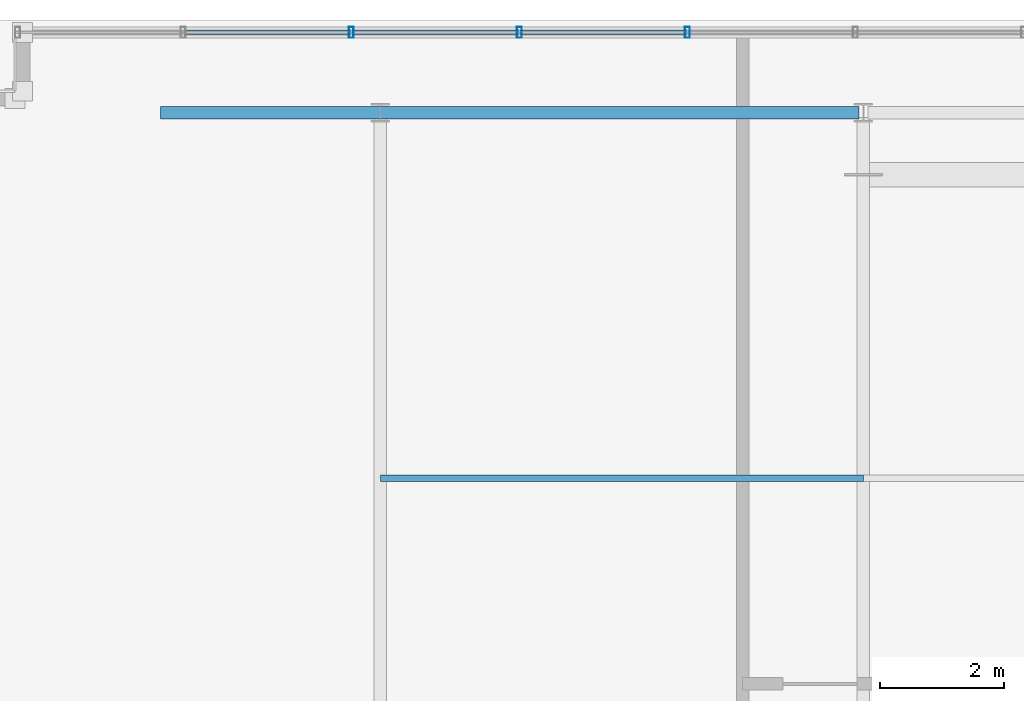
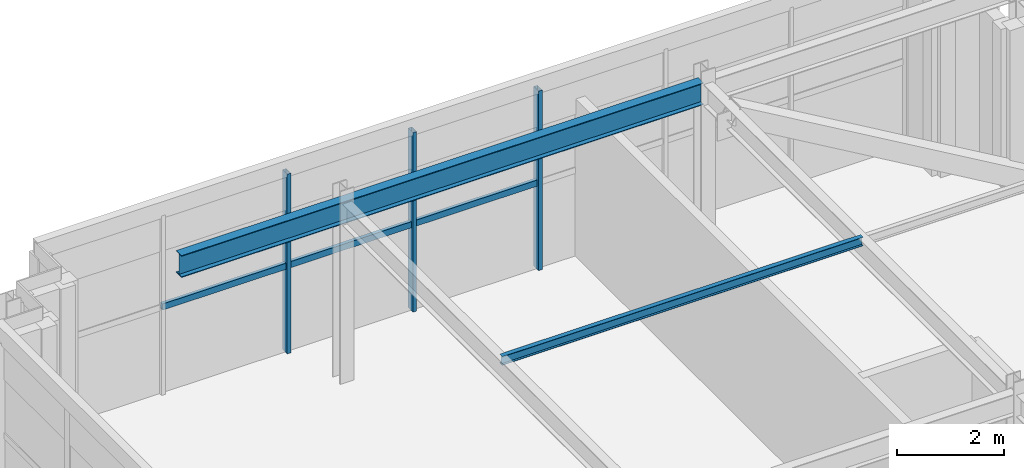
# One storey, part 21 of 31: 7 members, 1 beam, 1 element without a shape of its own.
"""IFC4 building model written with IfcOpenShell, lengths in metres."""

from ifc_helpers import new_model, si_unit, direction, frame, origin, origin_2d, place, context, subcontext, project, spatial, hollow_rectangle, i_section, extrude, source, transform, mapped, material, material_profile, profile_set, type_object, element, aggregate, save


model = new_model("IFC4")

# Units and contexts
model_context = context("Model", 3, precision=1e-05, world=origin(), true_north=direction((0.0, 1.0)))
body_context = subcontext(model_context, "Body", "Model", "MODEL_VIEW")
ifc_project = project(units=[si_unit("LENGTHUNIT", "METRE"), si_unit("AREAUNIT", "SQUARE_METRE"), si_unit("VOLUMEUNIT", "CUBIC_METRE"), si_unit("PLANEANGLEUNIT", "RADIAN"), si_unit("MASSUNIT", "GRAM", prefix="KILO")], contexts=[model_context])

# Site, building, storey
site_placement = place(None, origin())
site = spatial("IfcSite", under=ifc_project, at=site_placement, CompositionType="ELEMENT")
building_placement = place(site_placement, origin())
building = spatial("IfcBuilding", under=site, at=building_placement, Name="Trelvane Seafront Commons", CompositionType="ELEMENT")
storey_placement = place(building_placement, frame((0.0, 0.0, 307.89990234375)))
storey = spatial("IfcBuildingStorey", under=building, at=storey_placement, Name="L80", CompositionType="ELEMENT", Elevation=307.89990234375)

# Beam
ifc_material_1 = material(Name="Steel SM355 (S355)", Category="steel")
ifc_material_profile_1 = material_profile(ifc_material_1, i_section(OverallWidth=0.199951171875, OverallDepth=0.5, WebThickness=0.010009765625, FlangeThickness=0.01611328125, at=origin_2d()), Name="H-500x200x10x16")
ifc_profile_set_1 = profile_set([ifc_material_profile_1], Name="Steel SM355 (S355)")
beam_type = type_object("IfcBeamType", Name="STR-CROWN-FRAME-RING", PredefinedType="SPANDREL", material=ifc_profile_set_1)
shared_shape_1 = source(origin(), body_context, "Body", "SweptSolid", [
    extrude(i_section(OverallWidth=0.199951171875, OverallDepth=0.5, WebThickness=0.010009765625, FlangeThickness=0.01611328125, at=origin_2d()), origin(), (0.0, 0.0, 1.0), 11.275146484375),
])
beam_placement = place(storey_placement, frame((47.449951171875, 45.10009765625, 3.85009765625), z_axis=(1.0, 0.0, 0.0), x_axis=(0.0, 1.0, 0.0)))
element("IfcBeam", 1, at=beam_placement, inside=storey, type_object=beam_type, Name="L80 CROWN FRAME Ring Beam G-20", PredefinedType="SPANDREL", context=body_context, shape_type="MappedRepresentation", body=[
    mapped(shared_shape_1, transform((0.0, 0.0, 0.0), x_axis=(1.0, 0.0, 0.0), y_axis=(0.0, 1.0, 0.0), z_axis=(0.0, 0.0, 1.0), scale=1.0)),
])

# Member
ifc_material_profile_2 = material_profile(ifc_material_1, i_section(OverallWidth=0.10009765625, OverallDepth=0.199951171875, WebThickness=0.005615234375, FlangeThickness=0.008056640625, at=origin_2d()), Name="H-200x100x5.5x8")
ifc_profile_set_2 = profile_set([ifc_material_profile_2], Name="Steel SM355 (S355)")
member_type_1 = type_object("IfcMemberType", Name="STR-PUR-H200", PredefinedType="PURLIN", material=ifc_profile_set_2)
shared_shape_2 = source(origin(), body_context, "Body", "SweptSolid", [
    extrude(i_section(OverallWidth=0.10009765625, OverallDepth=0.199951171875, WebThickness=0.005615234375, FlangeThickness=0.008056640625, at=origin_2d()), origin(), (0.0, 0.0, 1.0), 7.800048828125),
])
member_1_placement = place(storey_placement, frame((51.0, 39.199951171875, 4.0), z_axis=(1.0, 0.0, 0.0), x_axis=(0.0, 1.0, 0.0)))
element("IfcMember", 2, at=member_1_placement, inside=storey, type_object=member_type_1, Name="L80 Crown Roof Purlin PR-2", PredefinedType="PURLIN", context=body_context, shape_type="MappedRepresentation", body=[
    mapped(shared_shape_2, transform((0.0, 0.0, 0.0), x_axis=(1.0, 0.0, 0.0), y_axis=(0.0, 1.0, 0.0), z_axis=(0.0, 0.0, 1.0), scale=1.0)),
])

# Curtain wall, members
ifc_material_2 = material(Name="Anodised pale-silver aluminium", Category="aluminium")
curtain_wall_type = type_object("IfcCurtainWallType", Name="ARCH-CW6-CROWN", PredefinedType="NOTDEFINED", material=ifc_material_2)
curtain_wall_placement = place(storey_placement, origin())
curtain_wall = element("IfcCurtainWall", 3, at=curtain_wall_placement, inside=storey, type_object=curtain_wall_type, Name="CW-L80-0141", PredefinedType="NOTDEFINED")
ifc_material_profile_3 = material_profile(ifc_material_2, hollow_rectangle(XDim=0.080078125, YDim=0.179931640625, WallThickness=0.00439453125, at=origin_2d()), Name="MULL-80x180x4.5")
ifc_profile_set_3 = profile_set([ifc_material_profile_3], Name="Anodised pale-silver aluminium")
member_type_2 = type_object("IfcMemberType", Name="ARCH-CW-MULL-180", PredefinedType="MULLION", material=ifc_profile_set_3)
shared_shape_3 = source(origin(), body_context, "Body", "SweptSolid", [
    extrude(hollow_rectangle(XDim=0.080078125, YDim=0.179931640625, WallThickness=0.00439453125, at=origin_2d()), origin(), (0.0, 0.0, 1.0), 4.10009765625),
])
member_2_placement = place(storey_placement, frame((50.528564453125, 46.39990234375, 0.0), z_axis=(0.0, 0.0, 1.0), x_axis=(1.0, 0.0, 0.0)))
member_2 = element("IfcMember", 4, at=member_2_placement, type_object=member_type_2, Name="CW-L80-0141-M02", PredefinedType="MULLION", context=body_context, shape_type="MappedRepresentation", body=[
    mapped(shared_shape_3, transform((0.0, 0.0, 0.0), x_axis=(1.0, 0.0, 0.0), y_axis=(0.0, 1.0, 0.0), z_axis=(0.0, 0.0, 1.0), scale=1.0)),
])
member_3_placement = place(storey_placement, frame((53.242919921875, 46.39990234375, 0.0), z_axis=(0.0, 0.0, 1.0), x_axis=(1.0, 0.0, 0.0)))
member_3 = element("IfcMember", 5, at=member_3_placement, type_object=member_type_2, Name="CW-L80-0141-M03", PredefinedType="MULLION", context=body_context, shape_type="MappedRepresentation", body=[
    mapped(shared_shape_3, transform((0.0, 0.0, 0.0), x_axis=(1.0, 0.0, 0.0), y_axis=(0.0, 1.0, 0.0), z_axis=(0.0, 0.0, 1.0), scale=1.0)),
])
member_4_placement = place(storey_placement, frame((55.95703125, 46.39990234375, 0.0), z_axis=(0.0, 0.0, 1.0), x_axis=(1.0, 0.0, 0.0)))
member_4 = element("IfcMember", 6, at=member_4_placement, type_object=member_type_2, Name="CW-L80-0141-M04", PredefinedType="MULLION", context=body_context, shape_type="MappedRepresentation", body=[
    mapped(shared_shape_3, transform((0.0, 0.0, 0.0), x_axis=(1.0, 0.0, 0.0), y_axis=(0.0, 1.0, 0.0), z_axis=(0.0, 0.0, 1.0), scale=1.0)),
])
ifc_material_profile_4 = material_profile(ifc_material_2, hollow_rectangle(XDim=0.074951171875, YDim=0.139892578125, WallThickness=0.00390625, at=origin_2d()), Name="TRAN-75x140x4")
ifc_profile_set_4 = profile_set([ifc_material_profile_4], Name="Anodised pale-silver aluminium")
member_type_3 = type_object("IfcMemberType", Name="ARCH-CW-TRAN-140", PredefinedType="USERDEFINED", material=ifc_profile_set_4)
shared_shape_4 = source(origin(), body_context, "Body", "SweptSolid", [
    extrude(hollow_rectangle(XDim=0.074951171875, YDim=0.139892578125, WallThickness=0.00390625, at=origin_2d()), origin(), (0.0, 0.0, 1.0), 2.690185546875),
])
member_5_placement = place(storey_placement, frame((47.826416015625, 46.39990234375, 1.968017578125), z_axis=(1.0, 0.0, 0.0), x_axis=(0.0, 1.0, 0.0)))
member_5 = element("IfcMember", 7, at=member_5_placement, type_object=member_type_3, Name="CW-L80-0141-T01", ObjectType="TRANSOM", PredefinedType="USERDEFINED", context=body_context, shape_type="MappedRepresentation", body=[
    mapped(shared_shape_4, transform((0.0, 0.0, 0.0), x_axis=(1.0, 0.0, 0.0), y_axis=(0.0, 1.0, 0.0), z_axis=(0.0, 0.0, 1.0), scale=1.0)),
])
member_6_placement = place(storey_placement, frame((53.2548828125, 46.39990234375, 1.968017578125), z_axis=(1.0, 0.0, 0.0), x_axis=(0.0, 1.0, 0.0)))
member_6 = element("IfcMember", 8, at=member_6_placement, type_object=member_type_3, Name="CW-L80-0141-T03", ObjectType="TRANSOM", PredefinedType="USERDEFINED", context=body_context, shape_type="MappedRepresentation", body=[
    mapped(shared_shape_4, transform((0.0, 0.0, 0.0), x_axis=(1.0, 0.0, 0.0), y_axis=(0.0, 1.0, 0.0), z_axis=(0.0, 0.0, 1.0), scale=1.0)),
])
shared_shape_5 = source(origin(), body_context, "Body", "SweptSolid", [
    extrude(hollow_rectangle(XDim=0.074951171875, YDim=0.139892578125, WallThickness=0.00390625, at=origin_2d()), origin(), (0.0, 0.0, 1.0), 2.6904296875),
])
member_7_placement = place(storey_placement, frame((50.54052734375, 46.39990234375, 1.968017578125), z_axis=(1.0, 0.0, 0.0), x_axis=(0.0, 1.0, 0.0)))
member_7 = element("IfcMember", 9, at=member_7_placement, type_object=member_type_3, Name="CW-L80-0141-T02", ObjectType="TRANSOM", PredefinedType="USERDEFINED", context=body_context, shape_type="MappedRepresentation", body=[
    mapped(shared_shape_5, transform((0.0, 0.0, 0.0), x_axis=(1.0, 0.0, 0.0), y_axis=(0.0, 1.0, 0.0), z_axis=(0.0, 0.0, 1.0), scale=1.0)),
])
aggregate(curtain_wall, [member_2, member_3, member_4, member_5, member_7, member_6])

save(model, "model.ifc")
